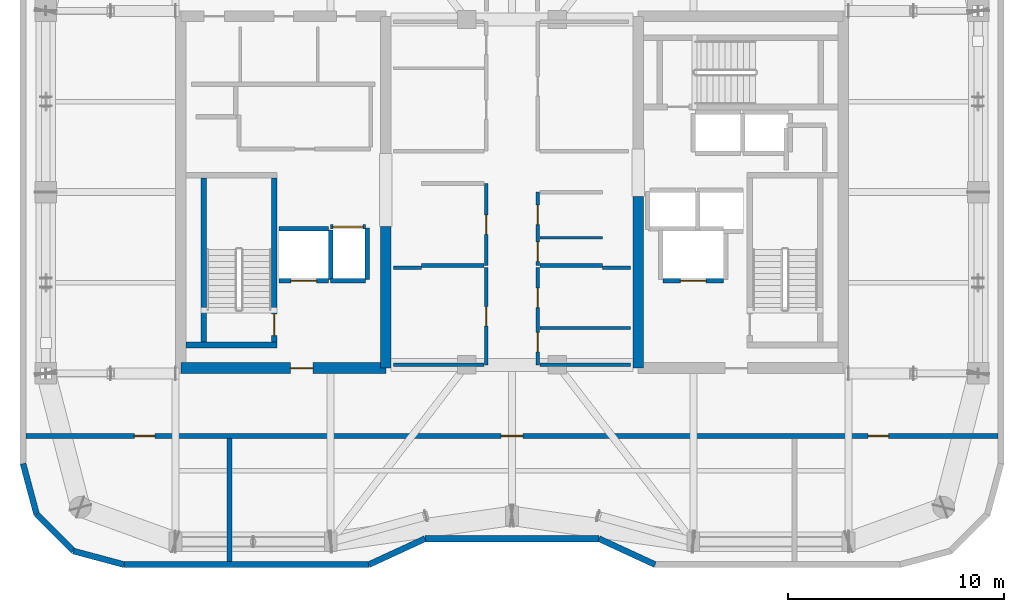
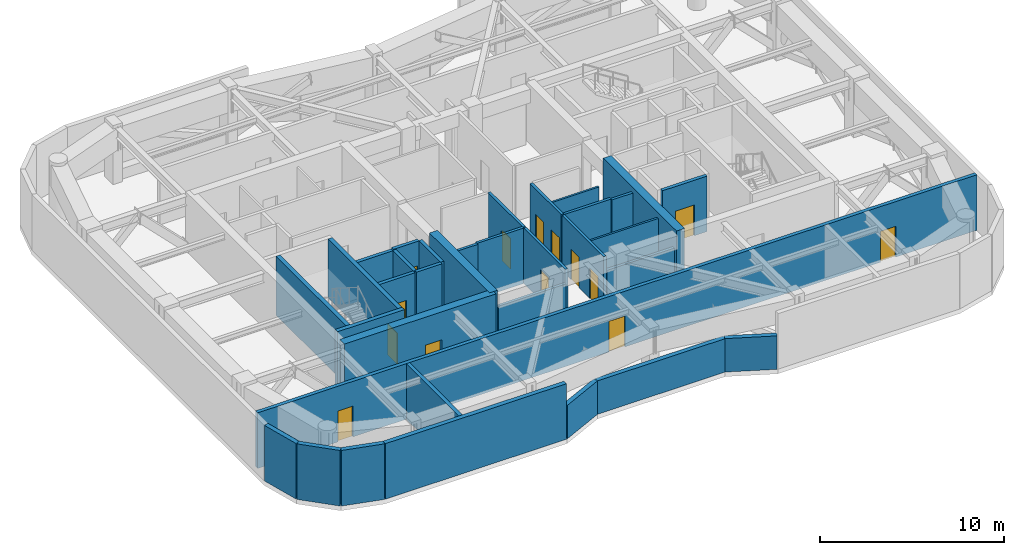
# One storey, part 8 of 11: 34 walls, 14 doors, 14 openings.
"""IFC4 building model written with IfcOpenShell, lengths in metres."""

from ifc_helpers import new_model, si_unit, direction, frame, frame_2d, origin, place, context, subcontext, project, spatial, rectangle, extrude, material, layer, layer_set, type_object, element, fill, save


model = new_model("IFC4")

# Units and contexts
model_context = context("Model", 3, precision=1e-05, world=origin(), true_north=direction((0.0, 1.0)))
body_context = subcontext(model_context, "Body", "Model", "MODEL_VIEW")
ifc_project = project(units=[si_unit("LENGTHUNIT", "METRE"), si_unit("AREAUNIT", "SQUARE_METRE"), si_unit("VOLUMEUNIT", "CUBIC_METRE"), si_unit("PLANEANGLEUNIT", "RADIAN"), si_unit("MASSUNIT", "GRAM", prefix="KILO")], contexts=[model_context])

# Site, building, storey
site_placement = place(None, origin())
site = spatial("IfcSite", under=ifc_project, at=site_placement, CompositionType="ELEMENT")
building_placement = place(site_placement, origin())
building = spatial("IfcBuilding", under=site, at=building_placement, Name="Kiyonajd Concourse Tower", CompositionType="ELEMENT")
storey_placement = place(building_placement, frame((0.0, 0.0, 282.300048828125)))
storey = spatial("IfcBuildingStorey", under=building, at=storey_placement, Name="L71", CompositionType="ELEMENT", Elevation=282.300048828125)

# Wall
ifc_material_1 = material(Name="Concrete C60/75", Category="concrete")
ifc_layer_1 = layer(ifc_material_1, 0.5)
ifc_layer_set_1 = layer_set([ifc_layer_1], Name="Concrete C60/75")
wall_type_1 = type_object("IfcWallType", Name="WL-CORE-500", PredefinedType="SHEAR", material=ifc_layer_set_1)
wall_1_placement = place(storey_placement, frame((42.14990234375, 27.85009765625, 0.0), z_axis=(0.0, 0.0, 1.0), x_axis=(0.0, 1.0, 0.0)))
element("IfcWall", 1, at=wall_1_placement, inside=storey, type_object=wall_type_1, Name="L71 West Core Inner South Shear Wall", PredefinedType="SHEAR", context=body_context, shape_type="SweptSolid", body=[
    extrude(rectangle(XDim=6.5498046875, YDim=0.5, at=frame_2d((3.27490234375, 0.0))), origin(), (0.0, 0.0, 1.0), 3.89990234375),
])

# Wall, opening, door
wall_2_placement = place(storey_placement, frame((32.64990234375, 27.85009765625, 0.0), z_axis=(0.0, 0.0, 1.0), x_axis=(1.0, 0.0, 0.0)))
wall_2 = element("IfcWall", 2, at=wall_2_placement, inside=storey, type_object=wall_type_1, Name="L71 West Core South Shear Wall", PredefinedType="SHEAR", context=body_context, shape_type="SweptSolid", body=[
    extrude(rectangle(XDim=9.5, YDim=0.5, at=frame_2d((4.75, 0.0))), origin(), (0.0, 0.0, 1.0), 3.89990234375),
])
opening_1_placement = place(wall_2_placement, frame((5.074951171875, 0.0, 0.0)))
opening_1 = element("IfcOpeningElement", 3, at=opening_1_placement, cuts=wall_2, Name="Opening DF5", PredefinedType="OPENING", context=body_context, shape_type="SweptSolid", body=[
    extrude(rectangle(XDim=1.050048828125, YDim=2.0400390625, at=frame_2d((0.52490234375, 1.02001953125))), frame((0.0, 0.260009765625, 0.0), z_axis=(0.0, -1.0, 0.0), x_axis=(1.0, 0.0, 0.0)), (0.0, 0.0, 1.0), 0.52001953125),
])
ifc_material_2 = material(Name="Brushed Stainless Steel Cab Assembly", Category="steel")
door_type_1 = type_object("IfcDoorType", Name="DR-FD45-1050", OperationType="NOTDEFINED", PredefinedType="DOOR", material=ifc_material_2)
door_1_placement = place(opening_1_placement, origin())
door_1 = element("IfcDoor", 4, at=door_1_placement, inside=storey, type_object=door_type_1, Name="L71 Firefighting Lift Lobby W Smoke Door", OperationType="SINGLE_SWING_LEFT", OverallHeight=2.0400390625, OverallWidth=1.050048828125, PredefinedType="DOOR", context=body_context, shape_type="SweptSolid", body=[
    extrude(rectangle(XDim=1.050048828125, YDim=2.0400390625, at=frame_2d((0.52490234375, 1.02001953125))), frame((0.0, 0.02490234375, 0.0), z_axis=(0.0, -1.0, 0.0), x_axis=(1.0, 0.0, 0.0)), (0.0, 0.0, 1.0), 0.050048828125),
])
fill(opening_1, door_1)

# Walls
wall_3_placement = place(storey_placement, frame((53.85009765625, 27.85009765625, 0.0), z_axis=(0.0, 0.0, 1.0), x_axis=(0.0, 1.0, 0.0)))
element("IfcWall", 5, at=wall_3_placement, inside=storey, type_object=wall_type_1, Name="L71 East Core Inner South Shear Wall", PredefinedType="SHEAR", context=body_context, shape_type="SweptSolid", body=[
    extrude(rectangle(XDim=7.949951171875, YDim=0.5, at=frame_2d((3.97509765625, 0.0))), origin(), (0.0, 0.0, 1.0), 3.89990234375),
])
ifc_material_3 = material(Name="Precast concrete C50/60", Category="concrete")
ifc_layer_2 = layer(ifc_material_3, 0.280029296875)
ifc_layer_set_2 = layer_set([ifc_layer_2], Name="Precast concrete C50/60")
wall_type_2 = type_object("IfcWallType", Name="WL-EXT-280", PredefinedType="SOLIDWALL", material=ifc_layer_set_2)
wall_4_placement = place(storey_placement, frame((54.630615234375, 18.739990234375, 0.0), z_axis=(0.0, 0.0, 1.0), x_axis=(-0.907956889006, 0.419063584324, 0.0)))
element("IfcWall", 6, at=wall_4_placement, inside=storey, type_object=wall_type_2, Name="L71 Exterior Concrete Frame Wall 17", PredefinedType="SOLIDWALL", context=body_context, shape_type="SweptSolid", body=[
    extrude(rectangle(XDim=2.863525390625, YDim=0.280029296875, at=frame_2d((1.431640625, 0.0))), origin(), (0.0, 0.0, 1.0), 2.21484375),
])
wall_5_placement = place(storey_placement, frame((52.03076171875, 19.93994140625, 0.0), z_axis=(0.0, 0.0, 1.0), x_axis=(-1.0, 0.0, 0.0)))
element("IfcWall", 7, at=wall_5_placement, inside=storey, type_object=wall_type_2, Name="L71 Exterior Concrete Frame Wall 18", PredefinedType="SOLIDWALL", context=body_context, shape_type="SweptSolid", body=[
    extrude(rectangle(XDim=8.0615234375, YDim=0.280029296875, at=frame_2d((4.03076171875, 0.0))), origin(), (0.0, 0.0, 1.0), 2.21484375),
])
wall_6_placement = place(storey_placement, frame((43.96923828125, 19.93994140625, 0.0), z_axis=(0.0, 0.0, 1.0), x_axis=(-0.907956889006, -0.419063584324, 0.0)))
element("IfcWall", 8, at=wall_6_placement, inside=storey, type_object=wall_type_2, Name="L71 Exterior Concrete Frame Wall 19", PredefinedType="SOLIDWALL", context=body_context, shape_type="SweptSolid", body=[
    extrude(rectangle(XDim=2.863525390625, YDim=0.280029296875, at=frame_2d((1.431640625, 0.0))), origin(), (0.0, 0.0, 1.0), 2.21484375),
])
wall_7_placement = place(storey_placement, frame((41.369384765625, 18.739990234375, 0.0), z_axis=(0.0, 0.0, 1.0), x_axis=(-1.0, 0.0, 0.0)))
element("IfcWall", 9, at=wall_7_placement, inside=storey, type_object=wall_type_2, Name="L71 Exterior Concrete Frame Wall 20", PredefinedType="SOLIDWALL", context=body_context, shape_type="SweptSolid", body=[
    extrude(rectangle(XDim=11.35107421875, YDim=0.280029296875, at=frame_2d((5.675537109375, 0.0))), origin(), (0.0, 0.0, 1.0), 3.679931640625),
])
wall_8_placement = place(storey_placement, frame((30.018310546875, 18.739990234375, 0.0), z_axis=(0.0, 0.0, 1.0), x_axis=(-0.965937282298, 0.25877628691, 0.0)))
element("IfcWall", 10, at=wall_8_placement, inside=storey, type_object=wall_type_2, Name="L71 Exterior Concrete Frame Wall 21", PredefinedType="SOLIDWALL", context=body_context, shape_type="SweptSolid", body=[
    extrude(rectangle(XDim=2.428466796875, YDim=0.280029296875, at=frame_2d((1.21435546875, 0.0))), origin(), (0.0, 0.0, 1.0), 3.679931640625),
])
wall_9_placement = place(storey_placement, frame((27.672607421875, 19.368408203125, 0.0), z_axis=(0.0, 0.0, 1.0), x_axis=(-0.707106781187, 0.707106781187, 0.0)))
element("IfcWall", 11, at=wall_9_placement, inside=storey, type_object=wall_type_2, Name="L71 Exterior Concrete Frame Wall 22", PredefinedType="SOLIDWALL", context=body_context, shape_type="SweptSolid", body=[
    extrude(rectangle(XDim=2.409912109375, YDim=0.280029296875, at=frame_2d((1.205078125, 0.0))), origin(), (0.0, 0.0, 1.0), 3.679931640625),
])
wall_10_placement = place(storey_placement, frame((25.968505859375, 21.072509765625, 0.0), z_axis=(0.0, 0.0, 1.0), x_axis=(-0.258751159445, 0.965944013639, 0.0)))
element("IfcWall", 12, at=wall_10_placement, inside=storey, type_object=wall_type_2, Name="L71 Exterior Concrete Frame Wall 23", PredefinedType="SOLIDWALL", context=body_context, shape_type="SweptSolid", body=[
    extrude(rectangle(XDim=2.4287109375, YDim=0.280029296875, at=frame_2d((1.21435546875, 0.0))), origin(), (0.0, 0.0, 1.0), 3.679931640625),
])

# Wall, openings, doors
ifc_material_4 = material(Name="Gypsum Board on Cold-Formed Steel Stud", Category="steel")
ifc_layer_3 = layer(ifc_material_4, 0.22998046875)
ifc_layer_set_3 = layer_set([ifc_layer_3], Name="Gypsum Board on Cold-Formed Steel Stud")
wall_type_3 = type_object("IfcWallType", Name="WL-FIRE-230", PredefinedType="PARTITIONING", material=ifc_layer_set_3)
wall_11_placement = place(storey_placement, frame((25.47509765625, 24.699951171875, 0.0), z_axis=(0.0, 0.0, 1.0), x_axis=(1.0, 0.0, 0.0)))
wall_11 = element("IfcWall", 13, at=wall_11_placement, inside=storey, type_object=wall_type_3, Name="L71 Interior Partition Wall", PredefinedType="PARTITIONING", context=body_context, shape_type="SweptSolid", body=[
    extrude(rectangle(XDim=45.0498046875, YDim=0.22998046875, at=frame_2d((22.52490234375, 0.0))), origin(), (0.0, 0.0, 1.0), 3.679931640625),
])
opening_2_placement = place(wall_11_placement, frame((22.02490234375, 0.0, 0.0)))
opening_2 = element("IfcOpeningElement", 14, at=opening_2_placement, cuts=wall_11, Name="Opening DF1", PredefinedType="OPENING", context=body_context, shape_type="SweptSolid", body=[
    extrude(rectangle(XDim=1.0, YDim=2.0400390625, at=frame_2d((0.5, 1.02001953125))), frame((0.0, 0.125, 0.0), z_axis=(0.0, -1.0, 0.0), x_axis=(1.0, 0.0, 0.0)), (0.0, 0.0, 1.0), 0.25),
])
opening_3_placement = place(wall_11_placement, frame((5.02490234375, 0.0, 0.0)))
opening_3 = element("IfcOpeningElement", 15, at=opening_3_placement, cuts=wall_11, Name="Opening DF3", PredefinedType="OPENING", context=body_context, shape_type="SweptSolid", body=[
    extrude(rectangle(XDim=0.949951171875, YDim=2.0400390625, at=frame_2d((0.47509765625, 1.02001953125))), frame((0.0, 0.125, 0.0), z_axis=(0.0, -1.0, 0.0), x_axis=(1.0, 0.0, 0.0)), (0.0, 0.0, 1.0), 0.25),
])
opening_4_placement = place(wall_11_placement, frame((39.02490234375, 0.0, 0.0)))
opening_4 = element("IfcOpeningElement", 16, at=opening_4_placement, cuts=wall_11, Name="Opening DF3", PredefinedType="OPENING", context=body_context, shape_type="SweptSolid", body=[
    extrude(rectangle(XDim=0.949951171875, YDim=2.0400390625, at=frame_2d((0.47509765625, 1.02001953125))), frame((0.0, 0.125, 0.0), z_axis=(0.0, -1.0, 0.0), x_axis=(1.0, 0.0, 0.0)), (0.0, 0.0, 1.0), 0.25),
])
door_type_2 = type_object("IfcDoorType", Name="DR-FD60-950", OperationType="NOTDEFINED", PredefinedType="DOOR", material=ifc_material_2)
door_2_placement = place(opening_3_placement, origin())
door_2 = element("IfcDoor", 17, at=door_2_placement, inside=storey, type_object=door_type_2, Name="L71 Interior Door", OperationType="SINGLE_SWING_LEFT", OverallHeight=2.0400390625, OverallWidth=0.949951171875, PredefinedType="DOOR", context=body_context, shape_type="SweptSolid", body=[
    extrude(rectangle(XDim=0.949951171875, YDim=2.0400390625, at=frame_2d((0.47509765625, 1.02001953125))), frame((0.0, 0.02490234375, 0.0), z_axis=(0.0, -1.0, 0.0), x_axis=(1.0, 0.0, 0.0)), (0.0, 0.0, 1.0), 0.050048828125),
])
fill(opening_3, door_2)
door_3_placement = place(opening_4_placement, origin())
door_3 = element("IfcDoor", 18, at=door_3_placement, inside=storey, type_object=door_type_2, Name="L71 Interior Door", OperationType="SINGLE_SWING_RIGHT", OverallHeight=2.0400390625, OverallWidth=0.949951171875, PredefinedType="DOOR", context=body_context, shape_type="SweptSolid", body=[
    extrude(rectangle(XDim=0.949951171875, YDim=2.0400390625, at=frame_2d((0.47509765625, 1.02001953125))), frame((0.0, 0.02490234375, 0.0), z_axis=(0.0, -1.0, 0.0), x_axis=(1.0, 0.0, 0.0)), (0.0, 0.0, 1.0), 0.050048828125),
])
fill(opening_4, door_3)
door_type_3 = type_object("IfcDoorType", Name="DR-FD90-1000", OperationType="NOTDEFINED", PredefinedType="DOOR", material=ifc_material_2)
door_4_placement = place(opening_2_placement, origin())
door_4 = element("IfcDoor", 19, at=door_4_placement, inside=storey, type_object=door_type_3, Name="L71 Interior Door", OperationType="SINGLE_SWING_RIGHT", OverallHeight=2.0400390625, OverallWidth=1.0, PredefinedType="DOOR", context=body_context, shape_type="SweptSolid", body=[
    extrude(rectangle(XDim=1.0, YDim=2.0400390625, at=frame_2d((0.5, 1.02001953125))), frame((0.0, 0.02490234375, 0.0), z_axis=(0.0, -1.0, 0.0), x_axis=(1.0, 0.0, 0.0)), (0.0, 0.0, 1.0), 0.050048828125),
])
fill(opening_2, door_4)

# Walls
wall_12_placement = place(storey_placement, frame((34.89990234375, 18.875, 0.0), z_axis=(0.0, 0.0, 1.0), x_axis=(0.0, 1.0, 0.0)))
element("IfcWall", 20, at=wall_12_placement, inside=storey, type_object=wall_type_3, Name="L71 Interior Partition Wall", PredefinedType="PARTITIONING", context=body_context, shape_type="SweptSolid", body=[
    extrude(rectangle(XDim=5.7080078125, YDim=0.22998046875, at=frame_2d((2.85400390625, 0.0))), origin(), (0.0, 0.0, 1.0), 3.679931640625),
])
ifc_layer_4 = layer(ifc_material_4, 0.125)
ifc_layer_set_4 = layer_set([ifc_layer_4], Name="Gypsum Board on Cold-Formed Steel Stud")
wall_type_4 = type_object("IfcWallType", Name="WL-PART-125", PredefinedType="PARTITIONING", material=ifc_layer_set_4)
wall_13_placement = place(storey_placement, frame((49.287109375, 33.89208984375, 0.0), z_axis=(0.0, 0.0, 1.0), x_axis=(1.0, 0.0, 0.0)))
element("IfcWall", 21, at=wall_13_placement, inside=storey, type_object=wall_type_4, Name="L71 Interior Partition Wall", PredefinedType="PARTITIONING", context=body_context, shape_type="SweptSolid", body=[
    extrude(rectangle(XDim=2.912841796875, YDim=0.125, at=frame_2d((1.45654296875, 0.0))), origin(), (0.0, 0.0, 1.0), 3.679931640625),
])
wall_14_placement = place(storey_placement, frame((49.287109375, 29.7099609375, 0.0), z_axis=(0.0, 0.0, 1.0), x_axis=(1.0, 0.0, 0.0)))
element("IfcWall", 22, at=wall_14_placement, inside=storey, type_object=wall_type_4, Name="L71 Interior Partition Wall", PredefinedType="PARTITIONING", context=body_context, shape_type="SweptSolid", body=[
    extrude(rectangle(XDim=4.212890625, YDim=0.125, at=frame_2d((2.1064453125, 0.0))), origin(), (0.0, 0.0, 1.0), 3.679931640625),
])

# Wall, opening, door
ifc_layer_5 = layer(ifc_material_4, 0.2099609375)
ifc_layer_set_5 = layer_set([ifc_layer_5], Name="Gypsum Board on Cold-Formed Steel Stud")
wall_type_5 = type_object("IfcWallType", Name="WL-SHAFT-210", PredefinedType="PARTITIONING", material=ifc_layer_set_5)
wall_15_placement = place(storey_placement, frame((37.199951171875, 31.89990234375, 0.0), z_axis=(0.0, 0.0, 1.0), x_axis=(1.0, 0.0, 0.0)))
wall_15 = element("IfcWall", 23, at=wall_15_placement, inside=storey, type_object=wall_type_5, Name="L71 Shaft Enclosure Wall", PredefinedType="PARTITIONING", context=body_context, shape_type="SweptSolid", body=[
    extrude(rectangle(XDim=2.300048828125, YDim=0.2099609375, at=frame_2d((1.14990234375, 0.0))), origin(), (0.0, 0.0, 1.0), 3.679931640625),
])
opening_5_placement = place(wall_15_placement, frame((0.550048828125, 0.0, 0.0)))
opening_5 = element("IfcOpeningElement", 24, at=opening_5_placement, cuts=wall_15, Name="Opening LD2", PredefinedType="OPENING", context=body_context, shape_type="SweptSolid", body=[
    extrude(rectangle(XDim=1.199951171875, YDim=2.0400390625, at=frame_2d((0.60009765625, 1.02001953125))), frame((0.0, 0.114990234375, 0.0), z_axis=(0.0, -1.0, 0.0), x_axis=(1.0, 0.0, 0.0)), (0.0, 0.0, 1.0), 0.22998046875),
])
door_type_4 = type_object("IfcDoorType", Name="DR-LD-1200", OperationType="DOUBLE_DOOR_SLIDING", PredefinedType="DOOR", material=ifc_material_2)
door_5_placement = place(opening_5_placement, origin())
door_5 = element("IfcDoor", 25, at=door_5_placement, inside=storey, type_object=door_type_4, Name="L71 Lift FFL1 Sliding Landing Door", OperationType="DOUBLE_DOOR_SLIDING", OverallHeight=2.0400390625, OverallWidth=1.199951171875, PredefinedType="DOOR", context=body_context, shape_type="SweptSolid", body=[
    extrude(rectangle(XDim=1.199951171875, YDim=2.0400390625, at=frame_2d((0.60009765625, 1.02001953125))), frame((0.0, 0.02490234375, 0.0), z_axis=(0.0, -1.0, 0.0), x_axis=(1.0, 0.0, 0.0)), (0.0, 0.0, 1.0), 0.050048828125),
])
fill(opening_5, door_5)

# Walls
wall_16_placement = place(storey_placement, frame((37.199951171875, 34.300048828125, 0.0), z_axis=(0.0, 0.0, 1.0), x_axis=(1.0, 0.0, 0.0)))
element("IfcWall", 26, at=wall_16_placement, inside=storey, type_object=wall_type_5, Name="L71 Shaft Enclosure Wall", PredefinedType="PARTITIONING", context=body_context, shape_type="SweptSolid", body=[
    extrude(rectangle(XDim=2.300048828125, YDim=0.2099609375, at=frame_2d((1.14990234375, 0.0))), origin(), (0.0, 0.0, 1.0), 3.679931640625),
])
wall_17_placement = place(storey_placement, frame((39.60009765625, 31.9599609375, 0.0), z_axis=(0.0, 0.0, 1.0), x_axis=(0.0, 1.0, 0.0)))
element("IfcWall", 27, at=wall_17_placement, inside=storey, type_object=wall_type_5, Name="L71 Shaft Enclosure Wall", PredefinedType="PARTITIONING", context=body_context, shape_type="SweptSolid", body=[
    extrude(rectangle(XDim=2.280029296875, YDim=0.2099609375, at=frame_2d((1.14013671875, 0.0))), origin(), (0.0, 0.0, 1.0), 3.679931640625),
])

# Wall, opening, door
wall_18_placement = place(storey_placement, frame((55.0, 31.89990234375, 0.0), z_axis=(0.0, 0.0, 1.0), x_axis=(1.0, 0.0, 0.0)))
wall_18 = element("IfcWall", 28, at=wall_18_placement, inside=storey, type_object=wall_type_5, Name="L71 Shaft Enclosure Wall", PredefinedType="PARTITIONING", context=body_context, shape_type="SweptSolid", body=[
    extrude(rectangle(XDim=2.800048828125, YDim=0.2099609375, at=frame_2d((1.39990234375, 0.0))), origin(), (0.0, 0.0, 1.0), 3.679931640625),
])
opening_6_placement = place(wall_18_placement, frame((0.800048828125, 0.0, 0.0)))
opening_6 = element("IfcOpeningElement", 29, at=opening_6_placement, cuts=wall_18, Name="Opening LD2", PredefinedType="OPENING", context=body_context, shape_type="SweptSolid", body=[
    extrude(rectangle(XDim=1.199951171875, YDim=2.0400390625, at=frame_2d((0.60009765625, 1.02001953125))), frame((0.0, 0.114990234375, 0.0), z_axis=(0.0, -1.0, 0.0), x_axis=(1.0, 0.0, 0.0)), (0.0, 0.0, 1.0), 0.22998046875),
])
door_6_placement = place(opening_6_placement, origin())
door_6 = element("IfcDoor", 30, at=door_6_placement, inside=storey, type_object=door_type_4, Name="L71 Lift FFL2 Sliding Landing Door", OperationType="DOUBLE_DOOR_SLIDING", OverallHeight=2.0400390625, OverallWidth=1.199951171875, PredefinedType="DOOR", context=body_context, shape_type="SweptSolid", body=[
    extrude(rectangle(XDim=1.199951171875, YDim=2.0400390625, at=frame_2d((0.60009765625, 1.02001953125))), frame((0.0, 0.02490234375, 0.0), z_axis=(0.0, -1.0, 0.0), x_axis=(1.0, 0.0, 0.0)), (0.0, 0.0, 1.0), 0.050048828125),
])
fill(opening_6, door_6)

wall_19_placement = place(storey_placement, frame((39.60009765625, 34.39990234375, 0.0), z_axis=(0.0, 0.0, 1.0), x_axis=(1.0, 0.0, 0.0)))
wall_19 = element("IfcWall", 31, at=wall_19_placement, inside=storey, type_object=wall_type_5, Name="L71 Shaft Enclosure Wall", PredefinedType="PARTITIONING", context=body_context, shape_type="SweptSolid", body=[
    extrude(rectangle(XDim=1.599853515625, YDim=0.2099609375, at=frame_2d((0.7998046875, 0.0))), origin(), (0.0, 0.0, 1.0), 3.679931640625),
])
opening_7_placement = place(wall_19_placement, frame((0.10009765625, 0.0, 0.0)))
opening_7 = element("IfcOpeningElement", 32, at=opening_7_placement, cuts=wall_19, Name="Opening LD3", PredefinedType="OPENING", context=body_context, shape_type="SweptSolid", body=[
    extrude(rectangle(XDim=1.39990234375, YDim=2.06005859375, at=frame_2d((0.699951171875, 1.030029296875))), frame((0.0, 0.114990234375, 0.0), z_axis=(0.0, -1.0, 0.0), x_axis=(1.0, 0.0, 0.0)), (0.0, 0.0, 1.0), 0.22998046875),
])
door_type_5 = type_object("IfcDoorType", Name="DR-LD-1400", OperationType="DOUBLE_DOOR_SLIDING", PredefinedType="DOOR", material=ifc_material_2)
door_7_placement = place(opening_7_placement, origin())
door_7 = element("IfcDoor", 33, at=door_7_placement, inside=storey, type_object=door_type_5, Name="L71 Lift SVL1 Sliding Landing Door", OperationType="DOUBLE_DOOR_SLIDING", OverallHeight=2.06005859375, OverallWidth=1.39990234375, PredefinedType="DOOR", context=body_context, shape_type="SweptSolid", body=[
    extrude(rectangle(XDim=1.39990234375, YDim=2.06005859375, at=frame_2d((0.699951171875, 1.030029296875))), frame((0.0, 0.02490234375, 0.0), z_axis=(0.0, -1.0, 0.0), x_axis=(1.0, 0.0, 0.0)), (0.0, 0.0, 1.0), 0.050048828125),
])
fill(opening_7, door_7)

# Walls
wall_20_placement = place(storey_placement, frame((39.60009765625, 31.89990234375, 0.0), z_axis=(0.0, 0.0, 1.0), x_axis=(1.0, 0.0, 0.0)))
element("IfcWall", 34, at=wall_20_placement, inside=storey, type_object=wall_type_5, Name="L71 Shaft Enclosure Wall", PredefinedType="PARTITIONING", context=body_context, shape_type="SweptSolid", body=[
    extrude(rectangle(XDim=1.599853515625, YDim=0.2099609375, at=frame_2d((0.7998046875, 0.0))), origin(), (0.0, 0.0, 1.0), 3.679931640625),
])
wall_21_placement = place(storey_placement, frame((41.300048828125, 31.9599609375, 0.0), z_axis=(0.0, 0.0, 1.0), x_axis=(0.0, 1.0, 0.0)))
element("IfcWall", 35, at=wall_21_placement, inside=storey, type_object=wall_type_5, Name="L71 Shaft Enclosure Wall", PredefinedType="PARTITIONING", context=body_context, shape_type="SweptSolid", body=[
    extrude(rectangle(XDim=2.380126953125, YDim=0.2099609375, at=frame_2d((1.18994140625, 0.0))), origin(), (0.0, 0.0, 1.0), 3.679931640625),
])

# Wall, opening, door
ifc_layer_6 = layer(ifc_material_4, 0.169921875)
ifc_layer_set_6 = layer_set([ifc_layer_6], Name="Gypsum Board on Cold-Formed Steel Stud")
wall_type_6 = type_object("IfcWallType", Name="WL-SMK-170", PredefinedType="PARTITIONING", material=ifc_layer_set_6)
wall_22_placement = place(storey_placement, frame((46.800048828125, 32.60009765625, 0.0), z_axis=(0.0, 0.0, 1.0), x_axis=(0.0, 1.0, 0.0)))
wall_22 = element("IfcWall", 36, at=wall_22_placement, inside=storey, type_object=wall_type_6, Name="L71 Interior Partition Wall", PredefinedType="PARTITIONING", context=body_context, shape_type="SweptSolid", body=[
    extrude(rectangle(XDim=3.7998046875, YDim=0.169921875, at=frame_2d((1.89990234375, 0.0))), origin(), (0.0, 0.0, 1.0), 3.679931640625),
])
opening_8_placement = place(wall_22_placement, frame((1.449951171875, 0.0, 0.0)))
opening_8 = element("IfcOpeningElement", 37, at=opening_8_placement, cuts=wall_22, Name="Opening DI2", PredefinedType="OPENING", context=body_context, shape_type="SweptSolid", body=[
    extrude(rectangle(XDim=0.89990234375, YDim=2.02001953125, at=frame_2d((0.449951171875, 1.010009765625))), frame((0.0, 0.094970703125, 0.0), z_axis=(0.0, -1.0, 0.0), x_axis=(1.0, 0.0, 0.0)), (0.0, 0.0, 1.0), 0.18994140625),
])
ifc_material_5 = material(Name="Natural Oak Acoustic Timber Veneer", Category="wood")
door_type_6 = type_object("IfcDoorType", Name="DR-INT-900", OperationType="NOTDEFINED", PredefinedType="DOOR", material=ifc_material_5)
door_8_placement = place(opening_8_placement, origin())
door_8 = element("IfcDoor", 38, at=door_8_placement, inside=storey, type_object=door_type_6, Name="L71 Interior Door", OperationType="SINGLE_SWING_LEFT", OverallHeight=2.02001953125, OverallWidth=0.89990234375, PredefinedType="DOOR", context=body_context, shape_type="SweptSolid", body=[
    extrude(rectangle(XDim=0.89990234375, YDim=2.02001953125, at=frame_2d((0.449951171875, 1.010009765625))), frame((0.0, 0.02490234375, 0.0), z_axis=(0.0, -1.0, 0.0), x_axis=(1.0, 0.0, 0.0)), (0.0, 0.0, 1.0), 0.050048828125),
])
fill(opening_8, door_8)

# Wall
wall_23_placement = place(storey_placement, frame((43.800048828125, 32.60009765625, 0.0), z_axis=(0.0, 0.0, 1.0), x_axis=(1.0, 0.0, 0.0)))
element("IfcWall", 39, at=wall_23_placement, inside=storey, type_object=wall_type_6, Name="L71 Interior Partition Wall", PredefinedType="PARTITIONING", context=body_context, shape_type="SweptSolid", body=[
    extrude(rectangle(XDim=2.912841796875, YDim=0.169921875, at=frame_2d((1.45654296875, 0.0))), origin(), (0.0, 0.0, 1.0), 3.679931640625),
])

# Wall, openings, doors
wall_24_placement = place(storey_placement, frame((49.199951171875, 32.60009765625, 0.0), z_axis=(0.0, 0.0, 1.0), x_axis=(0.0, 1.0, 0.0)))
wall_24 = element("IfcWall", 40, at=wall_24_placement, inside=storey, type_object=wall_type_6, Name="L71 Interior Partition Wall", PredefinedType="PARTITIONING", context=body_context, shape_type="SweptSolid", body=[
    extrude(rectangle(XDim=3.39990234375, YDim=0.169921875, at=frame_2d((1.699951171875, 0.0))), origin(), (0.0, 0.0, 1.0), 3.679931640625),
])
opening_9_placement = place(wall_24_placement, frame((0.196044921875, 0.0, 0.0)))
opening_9 = element("IfcOpeningElement", 41, at=opening_9_placement, cuts=wall_24, Name="Opening DI2", PredefinedType="OPENING", context=body_context, shape_type="SweptSolid", body=[
    extrude(rectangle(XDim=0.89990234375, YDim=2.02001953125, at=frame_2d((0.449951171875, 1.010009765625))), frame((0.0, 0.094970703125, 0.0), z_axis=(0.0, -1.0, 0.0), x_axis=(1.0, 0.0, 0.0)), (0.0, 0.0, 1.0), 0.18994140625),
])
opening_10_placement = place(wall_24_placement, frame((1.89599609375, 0.0, 0.0)))
opening_10 = element("IfcOpeningElement", 42, at=opening_10_placement, cuts=wall_24, Name="Opening DI2", PredefinedType="OPENING", context=body_context, shape_type="SweptSolid", body=[
    extrude(rectangle(XDim=0.89990234375, YDim=2.02001953125, at=frame_2d((0.449951171875, 1.010009765625))), frame((0.0, 0.094970703125, 0.0), z_axis=(0.0, -1.0, 0.0), x_axis=(1.0, 0.0, 0.0)), (0.0, 0.0, 1.0), 0.18994140625),
])
door_9_placement = place(opening_9_placement, origin())
door_9 = element("IfcDoor", 43, at=door_9_placement, inside=storey, type_object=door_type_6, Name="L71 Interior Door", OperationType="SINGLE_SWING_RIGHT", OverallHeight=2.02001953125, OverallWidth=0.89990234375, PredefinedType="DOOR", context=body_context, shape_type="SweptSolid", body=[
    extrude(rectangle(XDim=0.89990234375, YDim=2.02001953125, at=frame_2d((0.449951171875, 1.010009765625))), frame((0.0, 0.02490234375, 0.0), z_axis=(0.0, -1.0, 0.0), x_axis=(1.0, 0.0, 0.0)), (0.0, 0.0, 1.0), 0.050048828125),
])
fill(opening_9, door_9)
door_10_placement = place(opening_10_placement, origin())
door_10 = element("IfcDoor", 44, at=door_10_placement, inside=storey, type_object=door_type_6, Name="L71 Interior Door", OperationType="SINGLE_SWING_LEFT", OverallHeight=2.02001953125, OverallWidth=0.89990234375, PredefinedType="DOOR", context=body_context, shape_type="SweptSolid", body=[
    extrude(rectangle(XDim=0.89990234375, YDim=2.02001953125, at=frame_2d((0.449951171875, 1.010009765625))), frame((0.0, 0.02490234375, 0.0), z_axis=(0.0, -1.0, 0.0), x_axis=(1.0, 0.0, 0.0)), (0.0, 0.0, 1.0), 0.050048828125),
])
fill(opening_10, door_10)

# Wall
wall_25_placement = place(storey_placement, frame((49.287109375, 32.60009765625, 0.0), z_axis=(0.0, 0.0, 1.0), x_axis=(1.0, 0.0, 0.0)))
element("IfcWall", 45, at=wall_25_placement, inside=storey, type_object=wall_type_6, Name="L71 Interior Partition Wall", PredefinedType="PARTITIONING", context=body_context, shape_type="SweptSolid", body=[
    extrude(rectangle(XDim=2.912841796875, YDim=0.169921875, at=frame_2d((1.45654296875, 0.0))), origin(), (0.0, 0.0, 1.0), 3.679931640625),
])

# Wall, opening, door
wall_26_placement = place(storey_placement, frame((46.800048828125, 28.0, 0.0), z_axis=(0.0, 0.0, 1.0), x_axis=(0.0, 1.0, 0.0)))
wall_26 = element("IfcWall", 46, at=wall_26_placement, inside=storey, type_object=wall_type_6, Name="L71 Interior Partition Wall", PredefinedType="PARTITIONING", context=body_context, shape_type="SweptSolid", body=[
    extrude(rectangle(XDim=4.5, YDim=0.169921875, at=frame_2d((2.25, 0.0))), origin(), (0.0, 0.0, 1.0), 3.679931640625),
])
opening_11_placement = place(wall_26_placement, frame((1.800048828125, 0.0, 0.0)))
opening_11 = element("IfcOpeningElement", 47, at=opening_11_placement, cuts=wall_26, Name="Opening DI2", PredefinedType="OPENING", context=body_context, shape_type="SweptSolid", body=[
    extrude(rectangle(XDim=0.89990234375, YDim=2.02001953125, at=frame_2d((0.449951171875, 1.010009765625))), frame((0.0, 0.094970703125, 0.0), z_axis=(0.0, -1.0, 0.0), x_axis=(1.0, 0.0, 0.0)), (0.0, 0.0, 1.0), 0.18994140625),
])
door_11_placement = place(opening_11_placement, origin())
door_11 = element("IfcDoor", 48, at=door_11_placement, inside=storey, type_object=door_type_6, Name="L71 Interior Door", OperationType="SINGLE_SWING_RIGHT", OverallHeight=2.02001953125, OverallWidth=0.89990234375, PredefinedType="DOOR", context=body_context, shape_type="SweptSolid", body=[
    extrude(rectangle(XDim=0.89990234375, YDim=2.02001953125, at=frame_2d((0.449951171875, 1.010009765625))), frame((0.0, 0.02490234375, 0.0), z_axis=(0.0, -1.0, 0.0), x_axis=(1.0, 0.0, 0.0)), (0.0, 0.0, 1.0), 0.050048828125),
])
fill(opening_11, door_11)

# Walls
wall_27_placement = place(storey_placement, frame((42.5, 28.0, 0.0), z_axis=(0.0, 0.0, 1.0), x_axis=(1.0, 0.0, 0.0)))
element("IfcWall", 49, at=wall_27_placement, inside=storey, type_object=wall_type_6, Name="L71 Interior Partition Wall", PredefinedType="PARTITIONING", context=body_context, shape_type="SweptSolid", body=[
    extrude(rectangle(XDim=4.212890625, YDim=0.169921875, at=frame_2d((2.1064453125, 0.0))), origin(), (0.0, 0.0, 1.0), 2.764892578125),
])
wall_28_placement = place(storey_placement, frame((42.5, 32.5, 0.0), z_axis=(0.0, 0.0, 1.0), x_axis=(1.0, 0.0, 0.0)))
element("IfcWall", 50, at=wall_28_placement, inside=storey, type_object=wall_type_6, Name="L71 Interior Partition Wall", PredefinedType="PARTITIONING", context=body_context, shape_type="SweptSolid", body=[
    extrude(rectangle(XDim=1.300048828125, YDim=0.169921875, at=frame_2d((0.64990234375, 0.0))), origin(), (0.0, 0.0, 1.0), 3.679931640625),
])

# Wall, openings, doors
wall_29_placement = place(storey_placement, frame((49.199951171875, 28.0, 0.0), z_axis=(0.0, 0.0, 1.0), x_axis=(0.0, 1.0, 0.0)))
wall_29 = element("IfcWall", 51, at=wall_29_placement, inside=storey, type_object=wall_type_6, Name="L71 Interior Partition Wall", PredefinedType="PARTITIONING", context=body_context, shape_type="SweptSolid", body=[
    extrude(rectangle(XDim=4.5, YDim=0.169921875, at=frame_2d((2.25, 0.0))), origin(), (0.0, 0.0, 1.0), 3.679931640625),
])
opening_12_placement = place(wall_29_placement, frame((0.60498046875, 0.0, 0.0)))
opening_12 = element("IfcOpeningElement", 52, at=opening_12_placement, cuts=wall_29, Name="Opening DI2", PredefinedType="OPENING", context=body_context, shape_type="SweptSolid", body=[
    extrude(rectangle(XDim=0.89990234375, YDim=2.02001953125, at=frame_2d((0.449951171875, 1.010009765625))), frame((0.0, 0.094970703125, 0.0), z_axis=(0.0, -1.0, 0.0), x_axis=(1.0, 0.0, 0.0)), (0.0, 0.0, 1.0), 0.18994140625),
])
opening_13_placement = place(wall_29_placement, frame((2.655029296875, 0.0, 0.0)))
opening_13 = element("IfcOpeningElement", 53, at=opening_13_placement, cuts=wall_29, Name="Opening DI2", PredefinedType="OPENING", context=body_context, shape_type="SweptSolid", body=[
    extrude(rectangle(XDim=0.89990234375, YDim=2.02001953125, at=frame_2d((0.449951171875, 1.010009765625))), frame((0.0, 0.094970703125, 0.0), z_axis=(0.0, -1.0, 0.0), x_axis=(1.0, 0.0, 0.0)), (0.0, 0.0, 1.0), 0.18994140625),
])
door_12_placement = place(opening_12_placement, origin())
door_12 = element("IfcDoor", 54, at=door_12_placement, inside=storey, type_object=door_type_6, Name="L71 Interior Door", OperationType="SINGLE_SWING_LEFT", OverallHeight=2.02001953125, OverallWidth=0.89990234375, PredefinedType="DOOR", context=body_context, shape_type="SweptSolid", body=[
    extrude(rectangle(XDim=0.89990234375, YDim=2.02001953125, at=frame_2d((0.449951171875, 1.010009765625))), frame((0.0, 0.02490234375, 0.0), z_axis=(0.0, -1.0, 0.0), x_axis=(1.0, 0.0, 0.0)), (0.0, 0.0, 1.0), 0.050048828125),
])
fill(opening_12, door_12)
door_13_placement = place(opening_13_placement, origin())
door_13 = element("IfcDoor", 55, at=door_13_placement, inside=storey, type_object=door_type_6, Name="L71 Interior Door", OperationType="SINGLE_SWING_RIGHT", OverallHeight=2.02001953125, OverallWidth=0.89990234375, PredefinedType="DOOR", context=body_context, shape_type="SweptSolid", body=[
    extrude(rectangle(XDim=0.89990234375, YDim=2.02001953125, at=frame_2d((0.449951171875, 1.010009765625))), frame((0.0, 0.02490234375, 0.0), z_axis=(0.0, -1.0, 0.0), x_axis=(1.0, 0.0, 0.0)), (0.0, 0.0, 1.0), 0.050048828125),
])
fill(opening_13, door_13)

# Walls
wall_30_placement = place(storey_placement, frame((49.287109375, 28.0, 0.0), z_axis=(0.0, 0.0, 1.0), x_axis=(1.0, 0.0, 0.0)))
element("IfcWall", 56, at=wall_30_placement, inside=storey, type_object=wall_type_6, Name="L71 Interior Partition Wall", PredefinedType="PARTITIONING", context=body_context, shape_type="SweptSolid", body=[
    extrude(rectangle(XDim=4.212890625, YDim=0.169921875, at=frame_2d((2.1064453125, 0.0))), origin(), (0.0, 0.0, 1.0), 2.764892578125),
])
wall_31_placement = place(storey_placement, frame((52.199951171875, 32.5, 0.0), z_axis=(0.0, 0.0, 1.0), x_axis=(1.0, 0.0, 0.0)))
element("IfcWall", 57, at=wall_31_placement, inside=storey, type_object=wall_type_6, Name="L71 Interior Partition Wall", PredefinedType="PARTITIONING", context=body_context, shape_type="SweptSolid", body=[
    extrude(rectangle(XDim=1.300048828125, YDim=0.169921875, at=frame_2d((0.64990234375, 0.0))), origin(), (0.0, 0.0, 1.0), 3.679931640625),
])
ifc_material_6 = material(Name="Concrete C50/60", Category="concrete")
ifc_layer_7 = layer(ifc_material_6, 0.260009765625)
ifc_layer_set_7 = layer_set([ifc_layer_7], Name="Concrete C50/60")
wall_type_7 = type_object("IfcWallType", Name="WL-STAIR-260", PredefinedType="SHEAR", material=ifc_layer_set_7)
wall_32_placement = place(storey_placement, frame((32.89990234375, 28.919921875, 0.0), z_axis=(0.0, 0.0, 1.0), x_axis=(1.0, 0.0, 0.0)))
element("IfcWall", 58, at=wall_32_placement, inside=storey, type_object=wall_type_7, Name="L71 Stair ST1 Structural South Wall", PredefinedType="SHEAR", context=body_context, shape_type="SweptSolid", body=[
    extrude(rectangle(XDim=4.210205078125, YDim=0.260009765625, at=frame_2d((2.10498046875, 0.0))), origin(), (0.0, 0.0, 1.0), 3.89990234375),
])
wall_33_placement = place(storey_placement, frame((33.719970703125, 29.050048828125, 0.0), z_axis=(0.0, 0.0, 1.0), x_axis=(0.0, 1.0, 0.0)))
element("IfcWall", 59, at=wall_33_placement, inside=storey, type_object=wall_type_7, Name="L71 Stair ST1 Structural West Wall", PredefinedType="SHEAR", context=body_context, shape_type="SweptSolid", body=[
    extrude(rectangle(XDim=7.599853515625, YDim=0.260009765625, at=frame_2d((3.7998046875, 0.0))), origin(), (0.0, 0.0, 1.0), 3.89990234375),
])

# Wall, opening, door
wall_34_placement = place(storey_placement, frame((36.97998046875, 29.050048828125, 0.0), z_axis=(0.0, 0.0, 1.0), x_axis=(0.0, 1.0, 0.0)))
wall_34 = element("IfcWall", 60, at=wall_34_placement, inside=storey, type_object=wall_type_7, Name="L71 Stair ST1 Structural East Wall", PredefinedType="SHEAR", context=body_context, shape_type="SweptSolid", body=[
    extrude(rectangle(XDim=7.599853515625, YDim=0.260009765625, at=frame_2d((3.7998046875, 0.0))), origin(), (0.0, 0.0, 1.0), 3.89990234375),
])
opening_14_placement = place(wall_34_placement, frame((0.300048828125, 0.0, 0.0)))
opening_14 = element("IfcOpeningElement", 61, at=opening_14_placement, cuts=wall_34, Name="Opening DF1", PredefinedType="OPENING", context=body_context, shape_type="SweptSolid", body=[
    extrude(rectangle(XDim=1.0, YDim=2.0400390625, at=frame_2d((0.5, 1.02001953125))), frame((0.0, 0.139892578125, 0.0), z_axis=(0.0, -1.0, 0.0), x_axis=(1.0, 0.0, 0.0)), (0.0, 0.0, 1.0), 0.280029296875),
])
door_14_placement = place(opening_14_placement, origin())
door_14 = element("IfcDoor", 62, at=door_14_placement, inside=storey, type_object=door_type_3, Name="L71 Stair ST1 FSAE Door", OperationType="SINGLE_SWING_LEFT", OverallHeight=2.0400390625, OverallWidth=1.0, PredefinedType="DOOR", context=body_context, shape_type="SweptSolid", body=[
    extrude(rectangle(XDim=1.0, YDim=2.0400390625, at=frame_2d((0.5, 1.02001953125))), frame((0.0, 0.02490234375, 0.0), z_axis=(0.0, -1.0, 0.0), x_axis=(1.0, 0.0, 0.0)), (0.0, 0.0, 1.0), 0.050048828125),
])
fill(opening_14, door_14)

save(model, "model.ifc")
